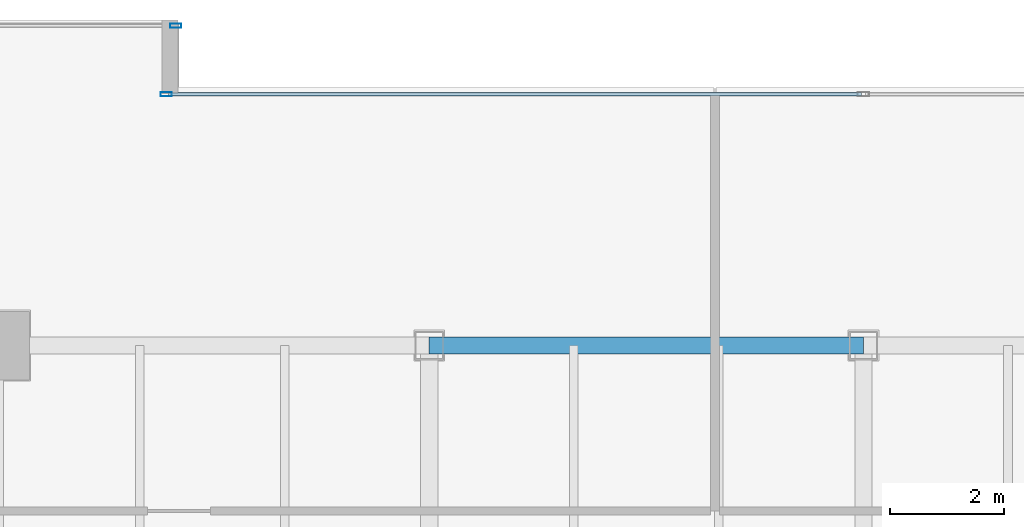
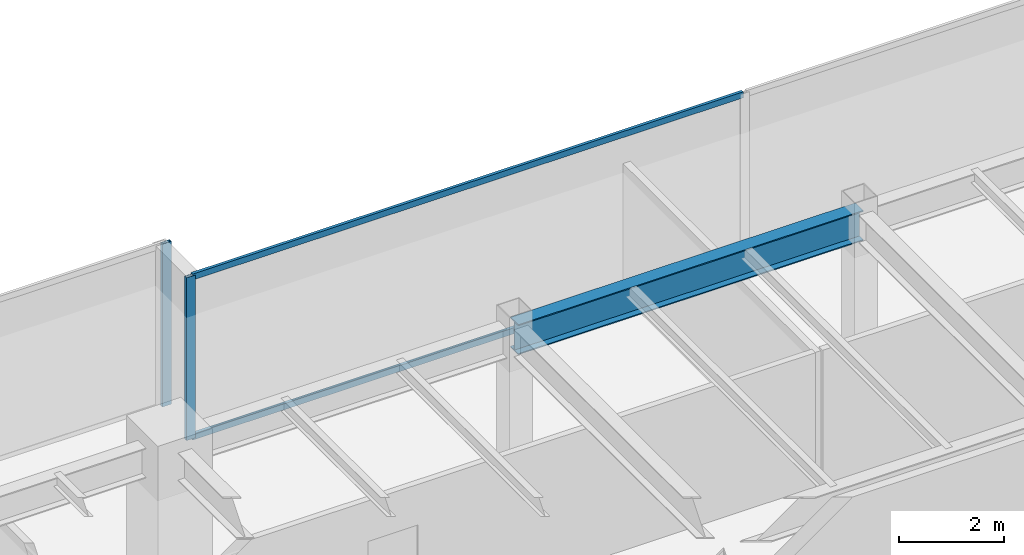
# One storey, part 16 of 33: 4 members, 1 beam, 2 elements without a shape of their own.
"""IFC4 building model written with IfcOpenShell, lengths in metres."""

from ifc_helpers import new_model, si_unit, direction, frame, origin, origin_2d, place, context, subcontext, project, spatial, hollow_rectangle, i_section, extrude, source, transform, mapped, material, layer, layer_set, material_profile, profile_set, type_object, type_shapes, element, aggregate, save


model = new_model("IFC4")

# Units and contexts
model_context = context("Model", 3, precision=1e-05, world=origin(), true_north=direction((0.0, 1.0)))
body_context = subcontext(model_context, "Body", "Model", "MODEL_VIEW")
ifc_project = project(units=[si_unit("LENGTHUNIT", "METRE"), si_unit("AREAUNIT", "SQUARE_METRE"), si_unit("VOLUMEUNIT", "CUBIC_METRE"), si_unit("PLANEANGLEUNIT", "RADIAN"), si_unit("MASSUNIT", "GRAM", prefix="KILO")], contexts=[model_context])

# Site, building, storey
site_placement = place(None, origin())
site = spatial("IfcSite", under=ifc_project, at=site_placement, CompositionType="ELEMENT")
building_placement = place(site_placement, origin())
building = spatial("IfcBuilding", under=site, at=building_placement, Name="Haelvirn Gate Laboratories", CompositionType="ELEMENT")
storey_placement = place(building_placement, frame((0.0, 0.0, 117.39990234375)))
storey = spatial("IfcBuildingStorey", under=building, at=storey_placement, Name="L28", CompositionType="ELEMENT", Elevation=117.39990234375)

# Beam
ifc_material_1 = material(Name="Steel SM355", Category="steel")
ifc_material_profile_1 = material_profile(ifc_material_1, i_section(OverallWidth=0.300048828125, OverallDepth=0.699951171875, WebThickness=0.012939453125, FlangeThickness=0.02392578125, at=origin_2d()), Name="H-700x300x13x24")
ifc_profile_set_1 = profile_set([ifc_material_profile_1], Name="Steel SM355")
beam_type = type_object("IfcBeamType", Name="BM-G-700", PredefinedType="BEAM", material=ifc_profile_set_1)
shared_shape_1 = source(origin(), body_context, "Body", "SweptSolid", [
    extrude(i_section(OverallWidth=0.300048828125, OverallDepth=0.699951171875, WebThickness=0.012939453125, FlangeThickness=0.02392578125, at=origin_2d()), origin(), (0.0, 0.0, 1.0), 7.599853515625),
])
type_shapes(beam_type, [shared_shape_1])
beam_placement = place(storey_placement, frame((29.800048828125, 41.60009765625, 3.440185546875), z_axis=(1.0, 0.0, 0.0), x_axis=(0.0, 1.0, 0.0)))
element("IfcBeam", 1, at=beam_placement, inside=storey, type_object=beam_type, Name="L28 Primary Girder Y41.6 (29.8-37.4)", PredefinedType="BEAM", context=body_context, shape_type="MappedRepresentation", body=[
    mapped(shared_shape_1, transform((0.0, 0.0, 0.0), scale=1.0)),
])

# Curtain wall, members
ifc_material_2 = material(Name="Anodised bronze unitised aluminium & triple low-E glass", Category="aluminium")
ifc_layer = layer(ifc_material_2, 0.179931640625, Name="CW-SYS-3")
ifc_layer_set = layer_set([ifc_layer], Name="Anodised bronze unitised aluminium & triple low-E glass")
curtain_wall_type = type_object("IfcCurtainWallType", Name="CW-SYS-3", PredefinedType="NOTDEFINED", material=ifc_layer_set)
curtain_wall_1_placement = place(storey_placement, origin())
curtain_wall_1 = element("IfcCurtainWall", 2, at=curtain_wall_1_placement, inside=storey, type_object=curtain_wall_type, Name="L28 Unitised Curtain Wall CW-L28-P0-E12-1", PredefinedType="NOTDEFINED")
ifc_material_3 = material(Name="Extruded aluminium 6063-T6 (anodised bronze)", Category="aluminium")
ifc_material_profile_2 = material_profile(ifc_material_3, hollow_rectangle(XDim=0.06494140625, YDim=0.139892578125, WallThickness=0.00390625, at=origin_2d()), Name="CWT-140x65x4")
ifc_profile_set_2 = profile_set([ifc_material_profile_2], Name="Extruded aluminium 6063-T6 (anodised bronze)")
member_type_1 = type_object("IfcMemberType", Name="CWT-T140", PredefinedType="USERDEFINED", material=ifc_profile_set_2)
shared_shape_2 = source(origin(), body_context, "Body", "SweptSolid", [
    extrude(hollow_rectangle(XDim=0.06494140625, YDim=0.139892578125, WallThickness=0.00390625, at=origin_2d()), origin(), (0.0, 0.0, 1.0), 12.12744140625),
])
type_shapes(member_type_1, [shared_shape_2])
member_1_placement = place(storey_placement, frame((25.235107421875, 46.0, 0.03271484375), z_axis=(1.0, 0.0, 0.0), x_axis=(0.0, 1.0, 0.0)))
member_1 = element("IfcMember", 3, at=member_1_placement, type_object=member_type_1, Name="CW3 transom 1.1", ObjectType="TRANSOM", PredefinedType="USERDEFINED", context=body_context, shape_type="MappedRepresentation", body=[
    mapped(shared_shape_2, transform((0.0, 0.0, 0.0), scale=1.0)),
])
member_2_placement = place(storey_placement, frame((25.235107421875, 46.0, 3.757568359375), z_axis=(1.0, 0.0, 0.0), x_axis=(0.0, 1.0, 0.0)))
member_2 = element("IfcMember", 4, at=member_2_placement, type_object=member_type_1, Name="CW3 transom 1.2", ObjectType="TRANSOM", PredefinedType="USERDEFINED", context=body_context, shape_type="MappedRepresentation", body=[
    mapped(shared_shape_2, transform((0.0, 0.0, 0.0), scale=1.0)),
])
ifc_material_profile_3 = material_profile(ifc_material_3, hollow_rectangle(XDim=0.074951171875, YDim=0.199951171875, WallThickness=0.0048828125, at=origin_2d()), Name="CWM-200x75x5")
ifc_profile_set_3 = profile_set([ifc_material_profile_3], Name="Extruded aluminium 6063-T6 (anodised bronze)")
member_type_2 = type_object("IfcMemberType", Name="CWM-T200", PredefinedType="MULLION", material=ifc_profile_set_3)
shared_shape_3 = source(origin(), body_context, "Body", "SweptSolid", [
    extrude(hollow_rectangle(XDim=0.074951171875, YDim=0.199951171875, WallThickness=0.0048828125, at=origin_2d()), origin(), (0.0, 0.0, 1.0), 3.7900390625),
])
type_shapes(member_type_2, [shared_shape_3])
member_3_placement = place(storey_placement, frame((25.197509765625, 46.0, 0.0), z_axis=(0.0, 0.0, 1.0), x_axis=(0.0, 1.0, 0.0)))
member_3 = element("IfcMember", 5, at=member_3_placement, type_object=member_type_2, Name="CW3 mullion 1", PredefinedType="MULLION", context=body_context, shape_type="MappedRepresentation", body=[
    mapped(shared_shape_3, transform((0.0, 0.0, 0.0), scale=1.0)),
])
aggregate(curtain_wall_1, [member_3, member_1, member_2])

# Curtain wall, member
curtain_wall_2_placement = place(storey_placement, origin())
curtain_wall_2 = element("IfcCurtainWall", 6, at=curtain_wall_2_placement, inside=storey, type_object=curtain_wall_type, Name="L28 Unitised Curtain Wall CW-L28-P0-E14-1", PredefinedType="NOTDEFINED")
member_4_placement = place(storey_placement, frame((25.362548828125, 47.199951171875, 0.0), z_axis=(0.0, 0.0, 1.0), x_axis=(0.0, 1.0, 0.0)))
member_4 = element("IfcMember", 7, at=member_4_placement, type_object=member_type_2, Name="CW3 mullion 3", PredefinedType="MULLION", context=body_context, shape_type="MappedRepresentation", body=[
    mapped(shared_shape_3, transform((0.0, 0.0, 0.0), scale=1.0)),
])
aggregate(curtain_wall_2, [member_4])

save(model, "model.ifc")
